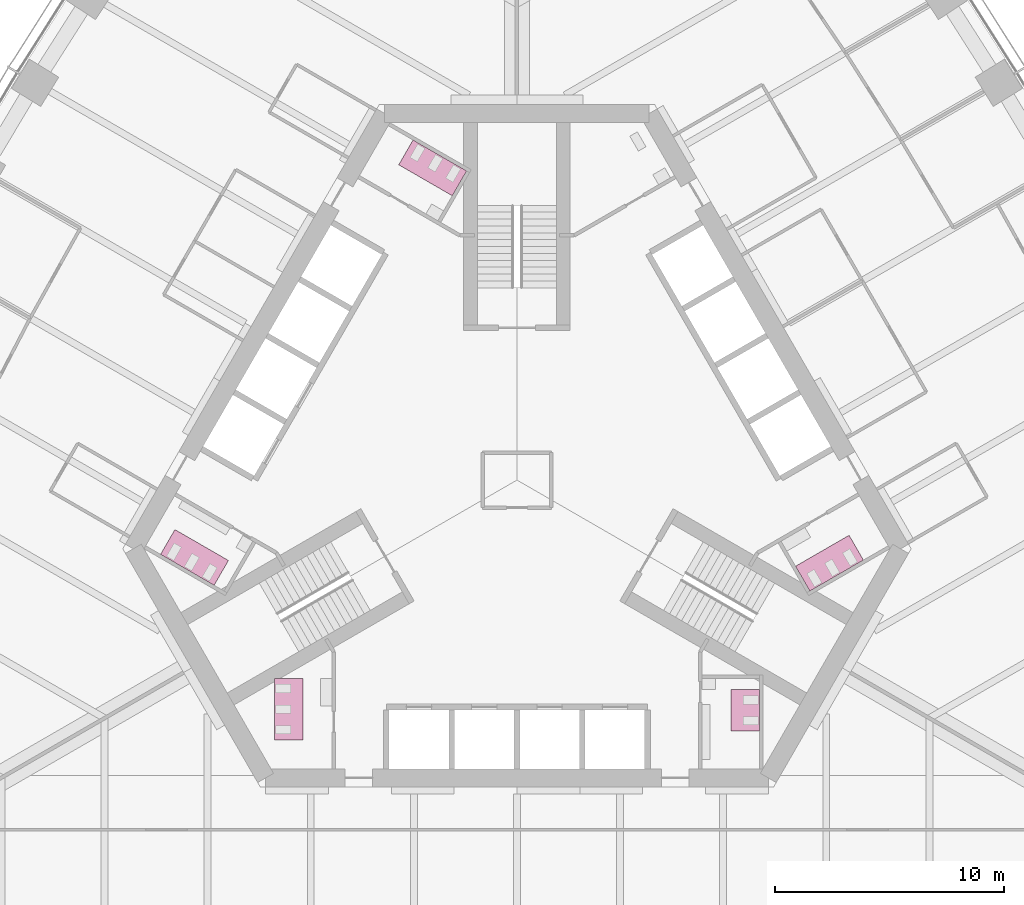
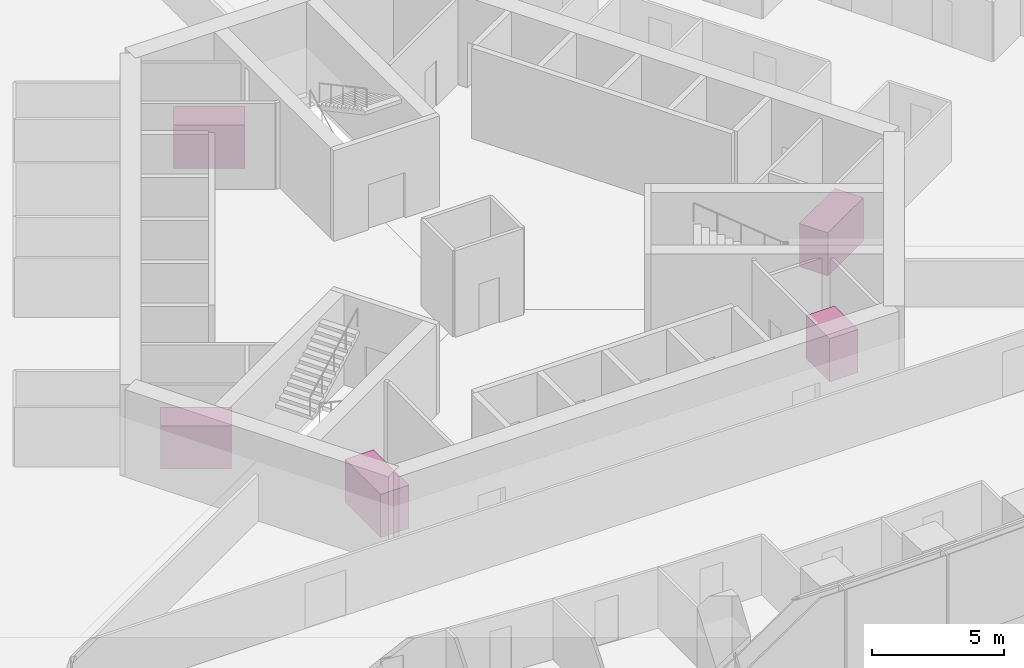
# One storey, part 18 of 18: 5 furniture elements.
"""IFC4 building model written with IfcOpenShell, lengths in metres."""

from ifc_helpers import new_model, si_unit, direction, frame, origin, place, context, subcontext, project, spatial, polyline, outline, extrude, material, type_object, element, save


model = new_model("IFC4")

# Units and contexts
model_context = context("Model", 3, precision=1e-05, world=origin(), true_north=direction((0.0, 1.0)))
body_context = subcontext(model_context, "Body", "Model", "MODEL_VIEW")
ifc_project = project(units=[si_unit("LENGTHUNIT", "METRE"), si_unit("AREAUNIT", "SQUARE_METRE"), si_unit("VOLUMEUNIT", "CUBIC_METRE"), si_unit("PLANEANGLEUNIT", "RADIAN"), si_unit("MASSUNIT", "GRAM", prefix="KILO")], contexts=[model_context])

# Site, building, storey
site_placement = place(None, origin())
site = spatial("IfcSite", under=ifc_project, at=site_placement, CompositionType="ELEMENT")
building_placement = place(site_placement, origin())
building = spatial("IfcBuilding", under=site, at=building_placement, Name="Trefoil Bronze Tower", CompositionType="ELEMENT")
storey_placement = place(building_placement, frame((0.0, 0.0, 33.300048828125)))
storey = spatial("IfcBuildingStorey", under=building, at=storey_placement, Name="L07", CompositionType="ELEMENT", Elevation=33.300048828125)

# Furniture
ifc_material_1 = material(Name="Compact laminate cubicles", Category="plastic")
furniture_type_1 = type_object("IfcFurnitureType", Name="WC cubicle range 2 cubicles", AssemblyPlace="FACTORY", PredefinedType="USERDEFINED", material=ifc_material_1)
furniture_1_placement = place(storey_placement, origin())
element("IfcFurniture", 1, at=furniture_1_placement, inside=storey, type_object=furniture_type_1, Name="WC cubicle range WC (men) L07", ObjectType="WC cubicle range", PredefinedType="USERDEFINED", context=body_context, shape_type="SweptSolid", body=[
    extrude(outline(polyline([(9.3349609375, -9.14990234375), (10.5849609375, -9.14990234375), (10.5849609375, -10.949951171875), (9.3349609375, -10.949951171875), (9.3349609375, -9.14990234375)])), origin(), (0.0, 0.0, 1.0), 2.0),
])
ifc_material_2 = material(Name="Compact laminate cubicles", Category="plastic")
furniture_type_2 = type_object("IfcFurnitureType", Name="WC cubicle range 3 cubicles", AssemblyPlace="FACTORY", PredefinedType="USERDEFINED", material=ifc_material_2)
furniture_2_placement = place(storey_placement, origin())
element("IfcFurniture", 2, at=furniture_2_placement, inside=storey, type_object=furniture_type_2, Name="WC cubicle range WC (women) L07", ObjectType="WC cubicle range", PredefinedType="USERDEFINED", context=body_context, shape_type="SweptSolid", body=[
    extrude(outline(polyline([(12.15869140625, -3.75927734375), (12.78369140625, -4.841796875), (15.121826171875, -3.491943359375), (14.496826171875, -2.409423828125), (12.15869140625, -3.75927734375)])), origin(), (0.0, 0.0, 1.0), 2.0),
])
furniture_3_placement = place(storey_placement, origin())
element("IfcFurniture", 3, at=furniture_3_placement, inside=storey, type_object=furniture_type_2, Name="WC cubicle range WC (women) L07", ObjectType="WC cubicle range", PredefinedType="USERDEFINED", context=body_context, shape_type="SweptSolid", body=[
    extrude(outline(polyline([(-2.82373046875, 12.409423828125), (-2.19873046875, 13.491943359375), (-4.536865234375, 14.841796875), (-5.161865234375, 13.75927734375), (-2.82373046875, 12.409423828125)])), origin(), (0.0, 0.0, 1.0), 2.0),
])
furniture_4_placement = place(storey_placement, origin())
element("IfcFurniture", 4, at=furniture_4_placement, inside=storey, type_object=furniture_type_2, Name="WC cubicle range WC (men) L07", ObjectType="WC cubicle range", PredefinedType="USERDEFINED", context=body_context, shape_type="SweptSolid", body=[
    extrude(outline(polyline([(-12.591552734375, -3.50927734375), (-13.216552734375, -4.591796875), (-15.554931640625, -3.241943359375), (-14.929931640625, -2.159423828125), (-12.591552734375, -3.50927734375)])), origin(), (0.0, 0.0, 1.0), 2.0),
])
furniture_5_placement = place(storey_placement, origin())
element("IfcFurniture", 5, at=furniture_5_placement, inside=storey, type_object=furniture_type_2, Name="WC cubicle range WC (women) L07", ObjectType="WC cubicle range", PredefinedType="USERDEFINED", context=body_context, shape_type="SweptSolid", body=[
    extrude(outline(polyline([(-9.3349609375, -8.64990234375), (-10.5849609375, -8.64990234375), (-10.5849609375, -11.35009765625), (-9.3349609375, -11.35009765625), (-9.3349609375, -8.64990234375)])), origin(), (0.0, 0.0, 1.0), 2.0),
])

save(model, "model.ifc")
